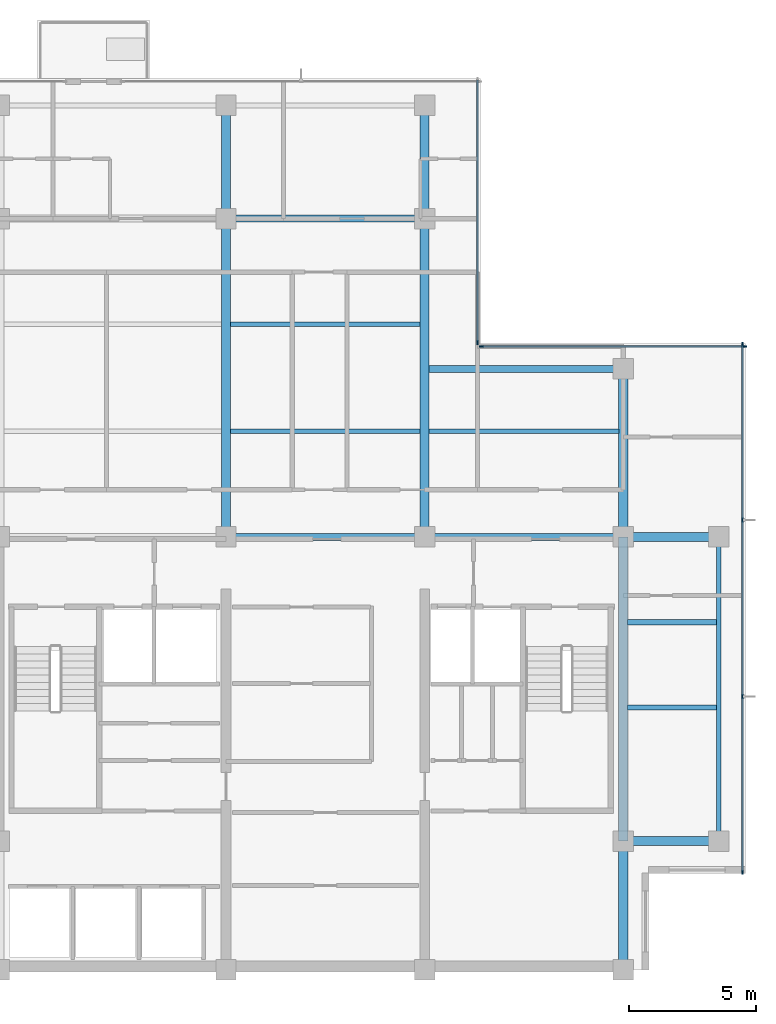
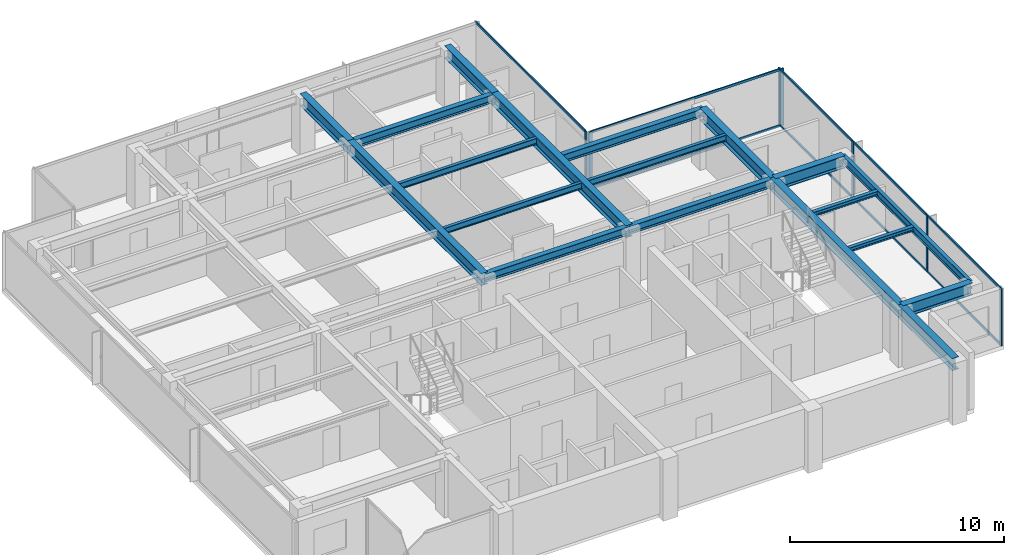
# One storey, part 3 of 11: 19 beams, 17 members, 3 elements without a shape of their own.
"""IFC4 building model written with IfcOpenShell, lengths in metres."""

import ifcopenshell
import ifcopenshell.guid

model = None  # the IFC model being written
_history = None  # IfcOwnerHistory: only IFC2X3 demands one
_inside = {}  # id of a spatial element -> (the spatial element, [elements in it])
_under = {}  # id of a project, library or spatial element -> (it, [spatial elements below it])
_declared = {}  # id of a project -> (the project, [libraries it declares])
_typed = {}  # id of a type object -> (the type object, [elements of that type])
_made_of = {}  # id of a material, layer set ... -> (it, [elements and type objects made of it])


def new_model(schema):
    """Start an empty IFC model of exactly this schema.

    Asked for "IFC4X3", IfcOpenShell would pick the latest addendum, in which some entities
    have other attributes; the version numbers below select the first issue.
    IFC2X3 requires an IfcOwnerHistory on every rooted entity: one is made here for all.
    """
    global model, _history
    if schema == "IFC4X3":
        model = ifcopenshell.file(schema_version=(4, 3, 0, 0))
    else:
        model = ifcopenshell.file(schema=schema)
    _inside.clear()
    _under.clear()
    _declared.clear()
    _typed.clear()
    _made_of.clear()
    _history = None
    if model.schema == "IFC2X3":
        org = make("IfcOrganization", Name="unknown")
        user = make(
            "IfcPersonAndOrganization",
            ThePerson=make("IfcPerson", FamilyName="unknown"),
            TheOrganization=org,
        )
        app = make(
            "IfcApplication",
            ApplicationDeveloper=org,
            Version="unknown",
            ApplicationFullName="unknown",
            ApplicationIdentifier="unknown",
        )
        _history = make(
            "IfcOwnerHistory",
            OwningUser=user,
            OwningApplication=app,
            ChangeAction="ADDED",
            CreationDate=0,
        )
    return model


def make(cls, **values):
    """One entity of the class cls with the attributes given. An attribute that is None is left unset."""
    return model.create_entity(
        cls, **{name: value for name, value in values.items() if value is not None}
    )


def rooted(cls, **values):
    """An entity with a GlobalId (a new one), such as an element, a storey or a relation."""
    return make(cls, GlobalId=ifcopenshell.guid.new(), OwnerHistory=_history, **values)


def si_unit(unit_type, name, prefix=None):
    """IfcSIUnit, for example si_unit("LENGTHUNIT", "METRE", prefix="MILLI")."""
    return make("IfcSIUnit", UnitType=unit_type, Prefix=prefix, Name=name)


def assignment(units):
    """IfcUnitAssignment: the units of a project."""
    return None if units is None else make("IfcUnitAssignment", Units=units)


def point(xyz):
    """IfcCartesianPoint."""
    return None if xyz is None else make("IfcCartesianPoint", Coordinates=xyz)


def direction(xyz):
    """IfcDirection."""
    return None if xyz is None else make("IfcDirection", DirectionRatios=xyz)


def frame(location, z_axis=None, x_axis=None):
    """IfcAxis2Placement3D, a coordinate frame: its origin and axes. An axis left out is left unset."""
    return make(
        "IfcAxis2Placement3D",
        Location=point(location),
        Axis=direction(z_axis),
        RefDirection=direction(x_axis),
    )


def frame_2d(location, x_axis=None):
    """IfcAxis2Placement2D, a coordinate frame in the plane: its origin and x axis."""
    return make(
        "IfcAxis2Placement2D", Location=point(location), RefDirection=direction(x_axis)
    )


def origin():
    """The frame at (0, 0, 0) with its axes left unset."""
    return frame((0.0, 0.0, 0.0))


def origin_2d():
    """The frame at (0, 0) in the plane with its x axis left unset."""
    return frame_2d((0.0, 0.0))


def place(relative_to, where):
    """IfcLocalPlacement: puts the frame where relative to a parent placement (None: the world)."""
    return make(
        "IfcLocalPlacement", PlacementRelTo=relative_to, RelativePlacement=where
    )


def context(
    kind, dimensions, precision=None, world=None, true_north=None, identifier=None
):
    """IfcGeometricRepresentationContext, for example the 3D "Model" context."""
    return make(
        "IfcGeometricRepresentationContext",
        ContextIdentifier=identifier,
        ContextType=kind,
        CoordinateSpaceDimension=dimensions,
        Precision=precision,
        WorldCoordinateSystem=world,
        TrueNorth=true_north,
    )


def subcontext(parent, identifier, kind, view, scale=None):
    """IfcGeometricRepresentationSubContext, for example "Body" below "Model"."""
    return make(
        "IfcGeometricRepresentationSubContext",
        ContextIdentifier=identifier,
        ContextType=kind,
        ParentContext=parent,
        TargetScale=scale,
        TargetView=view,
    )


def project(units=None, contexts=None):
    """IfcProject with its units and contexts."""
    return rooted(
        "IfcProject",
        Name="project",
        RepresentationContexts=contexts,
        UnitsInContext=assignment(units),
    )


def spatial(cls, under=None, at=None, **own):
    """A site, building, storey or space (cls), placed at a placement, below another one or the project."""
    s = rooted(cls, ObjectPlacement=at, **own)
    if under is not None:
        _under.setdefault(under.id(), (under, []))[1].append(s)
    return s


def profile(cls, at=None, kind="AREA", **sizes):
    """A parametric profile (cls). Its sizes go by their IFC names, for example OverallWidth=200.0."""
    return make(cls, ProfileType=kind, Position=at, **sizes)


def rectangle(**sizes):
    """IfcRectangleProfileDef."""
    return profile("IfcRectangleProfileDef", **sizes)


def i_section(**sizes):
    """IfcIShapeProfileDef."""
    return profile("IfcIShapeProfileDef", **sizes)


def extrude(swept, where, along, depth):
    """IfcExtrudedAreaSolid: the profile swept, set in the frame where, extruded along a direction by depth."""
    return make(
        "IfcExtrudedAreaSolid",
        SweptArea=swept,
        Position=where,
        ExtrudedDirection=direction(along),
        Depth=depth,
    )


def shape(context_of_items, identifier, shape_type, items):
    """IfcShapeRepresentation: the items that make up one representation, for example the "Body"."""
    return make(
        "IfcShapeRepresentation",
        ContextOfItems=context_of_items,
        RepresentationIdentifier=identifier,
        RepresentationType=shape_type,
        Items=items,
    )


def material(Name=None, Category=None):
    """IfcMaterial."""
    return make("IfcMaterial", Name=Name, Category=Category)


def layer(
    of_material, thickness, ventilated=None, Name=None, Category=None, Priority=None
):
    """IfcMaterialLayer: one layer of a wall or slab, of a material (None: an air gap)."""
    return make(
        "IfcMaterialLayer",
        Material=of_material,
        LayerThickness=thickness,
        IsVentilated=ventilated,
        Name=Name,
        Category=Category,
        Priority=Priority,
    )


def layer_set(layers, Name=None):
    """IfcMaterialLayerSet."""
    return make("IfcMaterialLayerSet", MaterialLayers=layers, LayerSetName=Name)


def material_profile(
    of_material, cross_section, Name=None, Category=None, Priority=None
):
    """IfcMaterialProfile: a cross section and its material."""
    return make(
        "IfcMaterialProfile",
        Name=Name,
        Material=of_material,
        Profile=cross_section,
        Priority=Priority,
        Category=Category,
    )


def profile_set(profiles, Name=None, composite=None):
    """IfcMaterialProfileSet."""
    return make(
        "IfcMaterialProfileSet",
        Name=Name,
        MaterialProfiles=profiles,
        CompositeProfile=composite,
    )


def made_of(thing, what):
    """Note that an element or type object is made of a material, layer set ...; save() writes the relation."""
    if what is not None:
        _made_of.setdefault(what.id(), (what, []))[1].append(thing)
    return thing


def type_object(cls, material=None, **own):
    """A type object (cls), such as IfcWallType, which elements share."""
    return made_of(rooted(cls, **own), material)


def element(
    cls,
    number,
    at=None,
    inside=None,
    cuts=None,
    type_object=None,
    material=None,
    context=None,
    identifier="Body",
    shape_type=None,
    held_by="IfcProductDefinitionShape",
    body=None,
    shapes=None,
    **own,
):
    """One element of the class cls, such as IfcWall. Its Tag is "e" and its number.

    at: its placement. inside: the storey or other place that contains it. cuts: it is an
    opening in that element (IfcRelVoidsElement). A single representation is given by context,
    identifier, shape_type and body (its items); several are given by shapes. held_by: the class
    of the entity that holds the representations. save() writes the other relations.
    """
    e = rooted(cls, Tag="e%d" % number, ObjectPlacement=at, **own)
    if body is not None:
        shapes = [shape(context, identifier, shape_type, body)]
    if shapes is not None:
        e.Representation = make(held_by, Representations=shapes)
    if inside is not None:
        _inside.setdefault(inside.id(), (inside, []))[1].append(e)
    if cuts is not None:
        rooted(
            "IfcRelVoidsElement", RelatingBuildingElement=cuts, RelatedOpeningElement=e
        )
    if type_object is not None:
        _typed.setdefault(type_object.id(), (type_object, []))[1].append(e)
    return made_of(e, material)


def aggregate(whole, parts):
    """IfcRelAggregates: a whole, such as a stair, and the parts it consists of."""
    return rooted("IfcRelAggregates", RelatingObject=whole, RelatedObjects=parts)


def save(model, path):
    """Write the relations noted so far, then the file.

    IfcRelAggregates (storeys below a building ...), IfcRelContainedInSpatialStructure (elements
    in a storey), IfcRelDefinesByType, IfcRelAssociatesMaterial and IfcRelDeclares: one each for
    every whole, place, type object, material and project.
    """
    for whole, parts in _under.values():
        aggregate(whole, parts)
    for where, things in _inside.values():
        rooted(
            "IfcRelContainedInSpatialStructure",
            RelatedElements=things,
            RelatingStructure=where,
        )
    for kind, things in _typed.values():
        rooted("IfcRelDefinesByType", RelatedObjects=things, RelatingType=kind)
    for what, things in _made_of.values():
        rooted("IfcRelAssociatesMaterial", RelatedObjects=things, RelatingMaterial=what)
    for by, libraries in _declared.values():
        rooted("IfcRelDeclares", RelatingContext=by, RelatedDefinitions=libraries)
    model.write(path)


model = new_model("IFC4")

# Units and contexts
model_context = context("Model", 3, precision=1e-05, world=origin(), true_north=direction((0.0, 1.0)))
body_context = subcontext(model_context, "Body", "Model", "MODEL_VIEW")
ifc_project = project(units=[si_unit("LENGTHUNIT", "METRE"), si_unit("AREAUNIT", "SQUARE_METRE"), si_unit("VOLUMEUNIT", "CUBIC_METRE"), si_unit("PLANEANGLEUNIT", "RADIAN"), si_unit("MASSUNIT", "GRAM", prefix="KILO")], contexts=[model_context])

# Site, building, storey
site_placement = place(None, origin())
site = spatial("IfcSite", under=ifc_project, at=site_placement, CompositionType="ELEMENT")
building_placement = place(site_placement, origin())
building = spatial("IfcBuilding", under=site, at=building_placement, Name="Qalmaran Belvedere Hotel", CompositionType="ELEMENT")
storey_placement = place(building_placement, frame((0.0, 0.0, 249.39990234375)))
storey = spatial("IfcBuildingStorey", under=building, at=storey_placement, Name="L64", CompositionType="ELEMENT", Elevation=249.39990234375)

# Beams
ifc_material_1 = material(Name="Steel S355JR", Category="steel")
ifc_material_profile_1 = material_profile(ifc_material_1, i_section(OverallWidth=0.201904296875, OverallDepth=0.2470703125, WebThickness=0.00732421875, FlangeThickness=0.010986328125, FilletRadius=0.011962890625, at=origin_2d()), Name="W250X49")
ifc_profile_set_1 = profile_set([ifc_material_profile_1], Name="Steel S355JR")
beam_type_1 = type_object("IfcBeamType", Name="BM-JST-W250X49", PredefinedType="JOIST", material=ifc_profile_set_1)
for number, where, z_axis, x_axis, name in (
    (1, (44.9755859375, 13.800048828125, 3.13671875), (1.0, 0.0, 0.0), (0.0, 1.0, 0.0), "L64 East Wing Joist 032"),
    (2, (44.9755859375, 17.14990234375, 3.13671875), (1.0, 0.0, 0.0), (0.0, 1.0, 0.0), "L64 East Wing Joist 034"),
):
    element("IfcBeam", number, at=place(storey_placement, frame(where, z_axis=z_axis, x_axis=x_axis)), inside=storey, type_object=beam_type_1, Name=name, PredefinedType="JOIST", context=body_context, shape_type="SweptSolid", body=[
        extrude(i_section(OverallWidth=0.201904296875, OverallDepth=0.2470703125, WebThickness=0.00732421875, FlangeThickness=0.010986328125, FilletRadius=0.011962890625, at=origin_2d()), origin(), (0.0, 0.0, 1.0), 3.48046875),
    ])
ifc_material_profile_2 = material_profile(ifc_material_1, i_section(OverallWidth=0.172119140625, OverallDepth=0.35791015625, WebThickness=0.0078125, FlangeThickness=0.01318359375, FilletRadius=0.014892578125, at=origin_2d()), Name="W360X57")
ifc_profile_set_2 = profile_set([ifc_material_profile_2], Name="Steel S355JR")
beam_type_2 = type_object("IfcBeamType", Name="BM-SB4-W360X57", PredefinedType="BEAM", material=ifc_profile_set_2)
for number, where, z_axis, x_axis, name in (
    (3, (29.37548828125, 24.64990234375, 3.0810546875), (1.0, 0.0, 0.0), (0.0, 1.0, 0.0), "L64 Secondary Floor Beam 026"),
    (4, (37.175537109375, 24.64990234375, 3.0810546875), (1.0, 0.0, 0.0), (0.0, 1.0, 0.0), "L64 Secondary Floor Beam 027"),
    (5, (29.37548828125, 28.85009765625, 3.0810546875), (1.0, 0.0, 0.0), (0.0, 1.0, 0.0), "L64 Secondary Floor Beam 030"),
):
    element("IfcBeam", number, at=place(storey_placement, frame(where, z_axis=z_axis, x_axis=x_axis)), inside=storey, type_object=beam_type_2, Name=name, PredefinedType="BEAM", context=body_context, shape_type="SweptSolid", body=[
        extrude(i_section(OverallWidth=0.172119140625, OverallDepth=0.35791015625, WebThickness=0.0078125, FlangeThickness=0.01318359375, FilletRadius=0.014892578125, at=origin_2d()), origin(), (0.0, 0.0, 1.0), 7.448974609375),
    ])
ifc_material_profile_3 = material_profile(ifc_material_1, i_section(OverallWidth=0.19189453125, OverallDepth=0.462890625, WebThickness=0.010498046875, FlangeThickness=0.017578125, FilletRadius=0.01611328125, at=origin_2d()), Name="W460X89")
ifc_profile_set_3 = profile_set([ifc_material_profile_3], Name="Steel S355JR")
beam_type_3 = type_object("IfcBeamType", Name="BM-SP2-W460X89", PredefinedType="SPANDREL", material=ifc_profile_set_3)
beam_1_placement = place(storey_placement, frame((48.550048828125, 8.550048828125, 3.028564453125), z_axis=(0.0, 1.0, 0.0), x_axis=(-1.0, 0.0, 0.0)))
element("IfcBeam", 6, at=beam_1_placement, inside=storey, type_object=beam_type_3, Name="L64 Perimeter Spandrel 03", PredefinedType="SPANDREL", context=body_context, shape_type="SweptSolid", body=[
    extrude(i_section(OverallWidth=0.19189453125, OverallDepth=0.462890625, WebThickness=0.010498046875, FlangeThickness=0.017578125, FilletRadius=0.01611328125, at=origin_2d()), origin(), (0.0, 0.0, 1.0), 11.949951171875),
])
ifc_material_profile_4 = material_profile(ifc_material_1, i_section(OverallWidth=0.35498046875, OverallDepth=0.695068359375, WebThickness=0.015380859375, FlangeThickness=0.02490234375, FilletRadius=0.02197265625, at=origin_2d()), Name="W690X217")
ifc_profile_set_4 = profile_set([ifc_material_profile_4], Name="Steel S355JR")
beam_type_4 = type_object("IfcBeamType", Name="BM-Z1-W690X217", PredefinedType="USERDEFINED", material=ifc_profile_set_4)
beam_2_placement = place(storey_placement, frame((29.199951171875, 20.5, 2.91259765625), z_axis=(0.0, 1.0, 0.0), x_axis=(-1.0, 0.0, 0.0)))
element("IfcBeam", 7, at=beam_2_placement, inside=storey, type_object=beam_type_4, Name="L64 Mid-Plate N-S Girder 13", ObjectType="GIRDER", PredefinedType="USERDEFINED", context=body_context, shape_type="SweptSolid", body=[
    extrude(i_section(OverallWidth=0.35498046875, OverallDepth=0.695068359375, WebThickness=0.015380859375, FlangeThickness=0.02490234375, FilletRadius=0.02197265625, at=origin_2d()), origin(), (0.0, 0.0, 1.0), 12.5),
])
beam_3_placement = place(storey_placement, frame((29.199951171875, 33.0, 2.91259765625), z_axis=(0.0, 1.0, 0.0), x_axis=(-1.0, 0.0, 0.0)))
element("IfcBeam", 8, at=beam_3_placement, inside=storey, type_object=beam_type_4, Name="L64 North Bay Girder 14", ObjectType="GIRDER", PredefinedType="USERDEFINED", context=body_context, shape_type="SweptSolid", body=[
    extrude(i_section(OverallWidth=0.35498046875, OverallDepth=0.695068359375, WebThickness=0.015380859375, FlangeThickness=0.02490234375, FilletRadius=0.02197265625, at=origin_2d()), origin(), (0.0, 0.0, 1.0), 4.449951171875),
])
beam_4_placement = place(storey_placement, frame((37.0, 20.5, 2.91259765625), z_axis=(0.0, 1.0, 0.0), x_axis=(-1.0, 0.0, 0.0)))
element("IfcBeam", 9, at=beam_4_placement, inside=storey, type_object=beam_type_4, Name="L64 Mid-Plate N-S Girder 15", ObjectType="GIRDER", PredefinedType="USERDEFINED", context=body_context, shape_type="SweptSolid", body=[
    extrude(i_section(OverallWidth=0.35498046875, OverallDepth=0.695068359375, WebThickness=0.015380859375, FlangeThickness=0.02490234375, FilletRadius=0.02197265625, at=origin_2d()), origin(), (0.0, 0.0, 1.0), 12.5),
])
beam_5_placement = place(storey_placement, frame((37.0, 33.0, 2.91259765625), z_axis=(0.0, 1.0, 0.0), x_axis=(-1.0, 0.0, 0.0)))
element("IfcBeam", 10, at=beam_5_placement, inside=storey, type_object=beam_type_4, Name="L64 North Bay Girder 16", ObjectType="GIRDER", PredefinedType="USERDEFINED", context=body_context, shape_type="SweptSolid", body=[
    extrude(i_section(OverallWidth=0.35498046875, OverallDepth=0.695068359375, WebThickness=0.015380859375, FlangeThickness=0.02490234375, FilletRadius=0.02197265625, at=origin_2d()), origin(), (0.0, 0.0, 1.0), 4.449951171875),
])
beam_6_placement = place(storey_placement, frame((44.800048828125, 20.5, 2.91259765625), z_axis=(0.0, 1.0, 0.0), x_axis=(-1.0, 0.0, 0.0)))
element("IfcBeam", 11, at=beam_6_placement, inside=storey, type_object=beam_type_4, Name="L64 Mid-Plate N-S Girder 17", ObjectType="GIRDER", PredefinedType="USERDEFINED", context=body_context, shape_type="SweptSolid", body=[
    extrude(i_section(OverallWidth=0.35498046875, OverallDepth=0.695068359375, WebThickness=0.015380859375, FlangeThickness=0.02490234375, FilletRadius=0.02197265625, at=origin_2d()), origin(), (0.0, 0.0, 1.0), 6.60009765625),
])
beam_7_placement = place(storey_placement, frame((44.800048828125, 3.5, 2.91259765625), z_axis=(0.0, 1.0, 0.0), x_axis=(-1.0, 0.0, 0.0)))
element("IfcBeam", 12, at=beam_7_placement, inside=storey, type_object=beam_type_4, Name="L64 East Core Edge Girder A", ObjectType="GIRDER", PredefinedType="USERDEFINED", context=body_context, shape_type="SweptSolid", body=[
    extrude(i_section(OverallWidth=0.35498046875, OverallDepth=0.695068359375, WebThickness=0.015380859375, FlangeThickness=0.02490234375, FilletRadius=0.02197265625, at=origin_2d()), origin(), (0.0, 0.0, 1.0), 5.050048828125),
])
beam_8_placement = place(storey_placement, frame((44.800048828125, 8.550048828125, 2.91259765625), z_axis=(0.0, 1.0, 0.0), x_axis=(-1.0, 0.0, 0.0)))
element("IfcBeam", 13, at=beam_8_placement, inside=storey, type_object=beam_type_4, Name="L64 East Core Edge Girder B", ObjectType="GIRDER", PredefinedType="USERDEFINED", context=body_context, shape_type="SweptSolid", body=[
    extrude(i_section(OverallWidth=0.35498046875, OverallDepth=0.695068359375, WebThickness=0.015380859375, FlangeThickness=0.02490234375, FilletRadius=0.02197265625, at=origin_2d()), origin(), (0.0, 0.0, 1.0), 11.949951171875),
])
for number, where, z_axis, x_axis, name in (
    (14, (44.800048828125, 8.550048828125, 2.91259765625), (1.0, 0.0, 0.0), (0.0, 1.0, 0.0), "L64 East Wing Girder 22"),
    (15, (44.800048828125, 20.5, 2.91259765625), (1.0, 0.0, 0.0), (0.0, 1.0, 0.0), "L64 East Wing Girder 23"),
):
    element("IfcBeam", number, at=place(storey_placement, frame(where, z_axis=z_axis, x_axis=x_axis)), inside=storey, type_object=beam_type_4, Name=name, ObjectType="GIRDER", PredefinedType="USERDEFINED", context=body_context, shape_type="SweptSolid", body=[
        extrude(i_section(OverallWidth=0.35498046875, OverallDepth=0.695068359375, WebThickness=0.015380859375, FlangeThickness=0.02490234375, FilletRadius=0.02197265625, at=origin_2d()), origin(), (0.0, 0.0, 1.0), 3.75),
    ])
ifc_material_profile_5 = material_profile(ifc_material_1, i_section(OverallWidth=0.280029296875, OverallDepth=0.462890625, WebThickness=0.0107421875, FlangeThickness=0.017333984375, FilletRadius=0.01611328125, at=origin_2d()), Name="W460X113")
ifc_profile_set_5 = profile_set([ifc_material_profile_5], Name="Steel S355JR")
beam_type_5 = type_object("IfcBeamType", Name="BM-Z5-W460X113", PredefinedType="USERDEFINED", material=ifc_profile_set_5)
for number, where, z_axis, x_axis, name in (
    (16, (29.199951171875, 20.5, 3.028564453125), (1.0, 0.0, 0.0), (0.0, 1.0, 0.0), "L64 Interior E-W Girder 07"),
    (17, (37.0, 20.5, 3.028564453125), (1.0, 0.0, 0.0), (0.0, 1.0, 0.0), "L64 Interior E-W Girder 08"),
    (18, (29.199951171875, 33.0, 3.028564453125), (1.0, 0.0, 0.0), (0.0, 1.0, 0.0), "L64 Interior E-W Girder 10"),
):
    element("IfcBeam", number, at=place(storey_placement, frame(where, z_axis=z_axis, x_axis=x_axis)), inside=storey, type_object=beam_type_5, Name=name, ObjectType="GIRDER", PredefinedType="USERDEFINED", context=body_context, shape_type="SweptSolid", body=[
        extrude(i_section(OverallWidth=0.280029296875, OverallDepth=0.462890625, WebThickness=0.0107421875, FlangeThickness=0.017333984375, FilletRadius=0.01611328125, at=origin_2d()), origin(), (0.0, 0.0, 1.0), 7.800048828125),
    ])
beam_9_placement = place(storey_placement, frame((37.175537109375, 27.10009765625, 3.028564453125), z_axis=(1.0, 0.0, 0.0), x_axis=(0.0, 1.0, 0.0)))
element("IfcBeam", 19, at=beam_9_placement, inside=storey, type_object=beam_type_5, Name="L64 North-East Notch Rim Girder", ObjectType="GIRDER", PredefinedType="USERDEFINED", context=body_context, shape_type="SweptSolid", body=[
    extrude(i_section(OverallWidth=0.280029296875, OverallDepth=0.462890625, WebThickness=0.0107421875, FlangeThickness=0.017333984375, FilletRadius=0.01611328125, at=origin_2d()), origin(), (0.0, 0.0, 1.0), 7.62451171875),
])

# Curtain wall, members
ifc_material_2 = material(Name="Anodised Bronze Aluminium", Category="aluminium")
ifc_layer = layer(ifc_material_2, 0.18505859375, Name="Anodised Bronze Aluminium")
ifc_layer_set = layer_set([ifc_layer], Name="Anodised Bronze Aluminium")
curtain_wall_type = type_object("IfcCurtainWallType", Name="CW6-TOWER-SKY", PredefinedType="NOTDEFINED", material=ifc_layer_set)
curtain_wall_1_placement = place(storey_placement, origin())
curtain_wall_1 = element("IfcCurtainWall", 20, at=curtain_wall_1_placement, inside=storey, type_object=curtain_wall_type, Name="L64 Curtain Wall CW6", PredefinedType="NOTDEFINED")
ifc_material_profile_6 = material_profile(ifc_material_2, rectangle(XDim=0.06494140625, YDim=0.1650390625, at=origin_2d()), Name="CWM65X165")
ifc_profile_set_6 = profile_set([ifc_material_profile_6], Name="Anodised Bronze Aluminium")
member_type_1 = type_object("IfcMemberType", Name="CWM-65X165", PredefinedType="MULLION", material=ifc_profile_set_6)
member_1_placement = place(storey_placement, frame((49.47998046875, 7.33251953125, 0.0), z_axis=(0.0, 0.0, 1.0), x_axis=(-1.0, 0.0, 0.0)))
member_1 = element("IfcMember", 21, at=member_1_placement, type_object=member_type_1, Name="CW6 mullion 1", PredefinedType="MULLION", context=body_context, shape_type="SweptSolid", body=[
    extrude(rectangle(XDim=0.06494140625, YDim=0.1650390625, at=origin_2d()), origin(), (0.0, 0.0, 1.0), 3.260009765625),
])
member_2_placement = place(storey_placement, frame((49.47998046875, 14.2333984375, 0.0), z_axis=(0.0, 0.0, 1.0), x_axis=(-1.0, 0.0, 0.0)))
member_2 = element("IfcMember", 22, at=member_2_placement, type_object=member_type_1, Name="CW6 mullion 2", PredefinedType="MULLION", context=body_context, shape_type="SweptSolid", body=[
    extrude(rectangle(XDim=0.06494140625, YDim=0.1650390625, at=origin_2d()), origin(), (0.0, 0.0, 1.0), 3.260009765625),
])
member_3_placement = place(storey_placement, frame((49.47998046875, 21.166748046875, 0.0), z_axis=(0.0, 0.0, 1.0), x_axis=(-1.0, 0.0, 0.0)))
member_3 = element("IfcMember", 23, at=member_3_placement, type_object=member_type_1, Name="CW6 mullion 3", PredefinedType="MULLION", context=body_context, shape_type="SweptSolid", body=[
    extrude(rectangle(XDim=0.06494140625, YDim=0.1650390625, at=origin_2d()), origin(), (0.0, 0.0, 1.0), 3.260009765625),
])
member_4_placement = place(storey_placement, frame((49.47998046875, 28.0673828125, 0.0), z_axis=(0.0, 0.0, 1.0), x_axis=(-1.0, 0.0, 0.0)))
member_4 = element("IfcMember", 24, at=member_4_placement, type_object=member_type_1, Name="CW6 mullion 4", PredefinedType="MULLION", context=body_context, shape_type="SweptSolid", body=[
    extrude(rectangle(XDim=0.06494140625, YDim=0.1650390625, at=origin_2d()), origin(), (0.0, 0.0, 1.0), 3.260009765625),
])

curtain_wall_2_placement = place(storey_placement, origin())
curtain_wall_2 = element("IfcCurtainWall", 25, at=curtain_wall_2_placement, inside=storey, type_object=curtain_wall_type, Name="L64 Curtain Wall CW6", PredefinedType="NOTDEFINED")
member_5_placement = place(storey_placement, frame((49.5673828125, 27.97998046875, 0.0), z_axis=(0.0, 0.0, 1.0), x_axis=(0.0, -1.0, 0.0)))
member_5 = element("IfcMember", 26, at=member_5_placement, type_object=member_type_1, Name="CW6 mullion 1", PredefinedType="MULLION", context=body_context, shape_type="SweptSolid", body=[
    extrude(rectangle(XDim=0.06494140625, YDim=0.1650390625, at=origin_2d()), origin(), (0.0, 0.0, 1.0), 3.260009765625),
])
member_6_placement = place(storey_placement, frame((39.232421875, 27.97998046875, 0.0), z_axis=(0.0, 0.0, 1.0), x_axis=(0.0, -1.0, 0.0)))
member_6 = element("IfcMember", 27, at=member_6_placement, type_object=member_type_1, Name="CW6 mullion 2", PredefinedType="MULLION", context=body_context, shape_type="SweptSolid", body=[
    extrude(rectangle(XDim=0.06494140625, YDim=0.1650390625, at=origin_2d()), origin(), (0.0, 0.0, 1.0), 3.260009765625),
])

# Curtain wall, member
curtain_wall_3_placement = place(storey_placement, origin())
curtain_wall_3 = element("IfcCurtainWall", 28, at=curtain_wall_3_placement, inside=storey, type_object=curtain_wall_type, Name="L64 Curtain Wall CW6", PredefinedType="NOTDEFINED")
member_7_placement = place(storey_placement, frame((39.080078125, 28.132568359375, 0.0), z_axis=(0.0, 0.0, 1.0), x_axis=(-1.0, 0.0, 0.0)))
member_7 = element("IfcMember", 29, at=member_7_placement, type_object=member_type_1, Name="CW6 mullion 1", PredefinedType="MULLION", context=body_context, shape_type="SweptSolid", body=[
    extrude(rectangle(XDim=0.06494140625, YDim=0.1650390625, at=origin_2d()), origin(), (0.0, 0.0, 1.0), 3.260009765625),
])

# Member
ifc_material_profile_7 = material_profile(ifc_material_2, rectangle(XDim=0.06494140625, YDim=0.1298828125, at=origin_2d()), Name="CWT65X130")
ifc_profile_set_7 = profile_set([ifc_material_profile_7], Name="Anodised Bronze Aluminium")
member_type_2 = type_object("IfcMemberType", Name="CWT-65X130", PredefinedType="USERDEFINED", material=ifc_profile_set_7)
member_8_placement = place(storey_placement, frame((49.47998046875, 7.364990234375, 0.03271484375), z_axis=(0.0, 1.0, 0.0), x_axis=(-1.0, 0.0, 0.0)))
member_8 = element("IfcMember", 30, at=member_8_placement, type_object=member_type_2, Name="CW6 transom 1.1", ObjectType="TRANSOM", PredefinedType="USERDEFINED", context=body_context, shape_type="SweptSolid", body=[
    extrude(rectangle(XDim=0.06494140625, YDim=0.1298828125, at=origin_2d()), origin(), (0.0, 0.0, 1.0), 6.8359375),
])

member_9_placement = place(storey_placement, frame((49.47998046875, 7.364990234375, 3.2275390625), z_axis=(0.0, 1.0, 0.0), x_axis=(-1.0, 0.0, 0.0)))
member_9 = element("IfcMember", 31, at=member_9_placement, type_object=member_type_2, Name="CW6 transom 1.2", ObjectType="TRANSOM", PredefinedType="USERDEFINED", context=body_context, shape_type="SweptSolid", body=[
    extrude(rectangle(XDim=0.06494140625, YDim=0.1298828125, at=origin_2d()), origin(), (0.0, 0.0, 1.0), 6.8359375),
])

member_10_placement = place(storey_placement, frame((49.47998046875, 14.265869140625, 0.03271484375), z_axis=(0.0, 1.0, 0.0), x_axis=(-1.0, 0.0, 0.0)))
member_10 = element("IfcMember", 32, at=member_10_placement, type_object=member_type_2, Name="CW6 transom 2.1", ObjectType="TRANSOM", PredefinedType="USERDEFINED", context=body_context, shape_type="SweptSolid", body=[
    extrude(rectangle(XDim=0.06494140625, YDim=0.1298828125, at=origin_2d()), origin(), (0.0, 0.0, 1.0), 6.868408203125),
])

member_11_placement = place(storey_placement, frame((49.47998046875, 14.265869140625, 3.2275390625), z_axis=(0.0, 1.0, 0.0), x_axis=(-1.0, 0.0, 0.0)))
member_11 = element("IfcMember", 33, at=member_11_placement, type_object=member_type_2, Name="CW6 transom 2.2", ObjectType="TRANSOM", PredefinedType="USERDEFINED", context=body_context, shape_type="SweptSolid", body=[
    extrude(rectangle(XDim=0.06494140625, YDim=0.1298828125, at=origin_2d()), origin(), (0.0, 0.0, 1.0), 6.868408203125),
])

member_12_placement = place(storey_placement, frame((49.47998046875, 21.19921875, 0.03271484375), z_axis=(0.0, 1.0, 0.0), x_axis=(-1.0, 0.0, 0.0)))
member_12 = element("IfcMember", 34, at=member_12_placement, type_object=member_type_2, Name="CW6 transom 3.1", ObjectType="TRANSOM", PredefinedType="USERDEFINED", context=body_context, shape_type="SweptSolid", body=[
    extrude(rectangle(XDim=0.06494140625, YDim=0.1298828125, at=origin_2d()), origin(), (0.0, 0.0, 1.0), 6.835693359375),
])

member_13_placement = place(storey_placement, frame((49.47998046875, 21.19921875, 3.2275390625), z_axis=(0.0, 1.0, 0.0), x_axis=(-1.0, 0.0, 0.0)))
member_13 = element("IfcMember", 35, at=member_13_placement, type_object=member_type_2, Name="CW6 transom 3.2", ObjectType="TRANSOM", PredefinedType="USERDEFINED", context=body_context, shape_type="SweptSolid", body=[
    extrude(rectangle(XDim=0.06494140625, YDim=0.1298828125, at=origin_2d()), origin(), (0.0, 0.0, 1.0), 6.835693359375),
])

aggregate(curtain_wall_1, [member_1, member_2, member_3, member_4, member_8, member_9, member_10, member_11, member_12, member_13])

member_14_placement = place(storey_placement, frame((49.534912109375, 27.97998046875, 0.03271484375), z_axis=(-1.0, 0.0, 0.0), x_axis=(0.0, -1.0, 0.0)))
member_14 = element("IfcMember", 36, at=member_14_placement, type_object=member_type_2, Name="CW6 transom 1.1", ObjectType="TRANSOM", PredefinedType="USERDEFINED", context=body_context, shape_type="SweptSolid", body=[
    extrude(rectangle(XDim=0.06494140625, YDim=0.1298828125, at=origin_2d()), origin(), (0.0, 0.0, 1.0), 10.27001953125),
])

member_15_placement = place(storey_placement, frame((49.534912109375, 27.97998046875, 3.2275390625), z_axis=(-1.0, 0.0, 0.0), x_axis=(0.0, -1.0, 0.0)))
member_15 = element("IfcMember", 37, at=member_15_placement, type_object=member_type_2, Name="CW6 transom 1.2", ObjectType="TRANSOM", PredefinedType="USERDEFINED", context=body_context, shape_type="SweptSolid", body=[
    extrude(rectangle(XDim=0.06494140625, YDim=0.1298828125, at=origin_2d()), origin(), (0.0, 0.0, 1.0), 10.27001953125),
])

aggregate(curtain_wall_2, [member_5, member_6, member_14, member_15])

member_16_placement = place(storey_placement, frame((39.080078125, 28.1650390625, 0.03271484375), z_axis=(0.0, 1.0, 0.0), x_axis=(-1.0, 0.0, 0.0)))
member_16 = element("IfcMember", 38, at=member_16_placement, type_object=member_type_2, Name="CW6 transom 1.1", ObjectType="TRANSOM", PredefinedType="USERDEFINED", context=body_context, shape_type="SweptSolid", body=[
    extrude(rectangle(XDim=0.06494140625, YDim=0.1298828125, at=origin_2d()), origin(), (0.0, 0.0, 1.0), 10.27001953125),
])

member_17_placement = place(storey_placement, frame((39.080078125, 28.1650390625, 3.2275390625), z_axis=(0.0, 1.0, 0.0), x_axis=(-1.0, 0.0, 0.0)))
member_17 = element("IfcMember", 39, at=member_17_placement, type_object=member_type_2, Name="CW6 transom 1.2", ObjectType="TRANSOM", PredefinedType="USERDEFINED", context=body_context, shape_type="SweptSolid", body=[
    extrude(rectangle(XDim=0.06494140625, YDim=0.1298828125, at=origin_2d()), origin(), (0.0, 0.0, 1.0), 10.27001953125),
])

aggregate(curtain_wall_3, [member_7, member_16, member_17])

save(model, "model.ifc")
